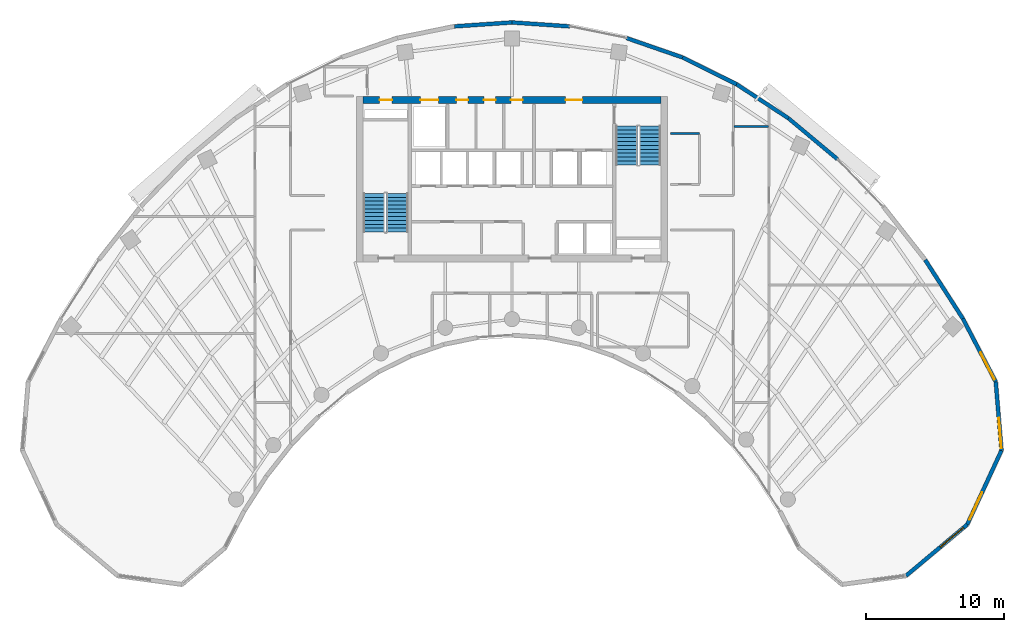
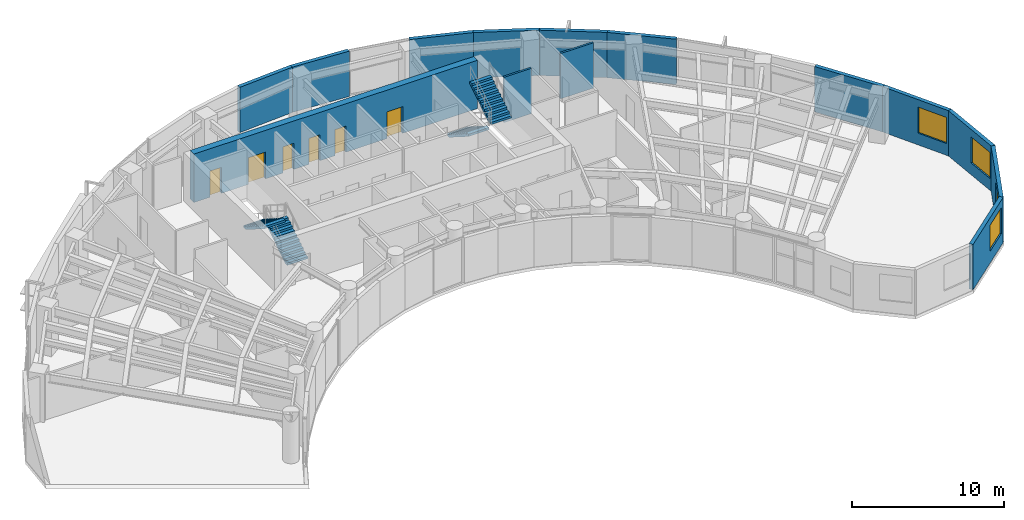
# One storey, part 10 of 13: 14 walls, 6 doors, 4 stair flights, 4 windows, 10 openings, 2 elements without a shape of their own.
"""IFC4 building model written with IfcOpenShell, lengths in metres."""

from ifc_helpers import new_model, si_unit, direction, frame, frame_2d, origin, place, context, subcontext, project, spatial, polyline, rectangle, outline, extrude, source, transform, mapped, material, layer, layer_set, type_object, type_shapes, element, fill, aggregate, save


model = new_model("IFC4")

# Units and contexts
model_context = context("Model", 3, precision=1e-05, world=origin(), true_north=direction((0.0, 1.0)))
body_context = subcontext(model_context, "Body", "Model", "MODEL_VIEW")
ifc_project = project(units=[si_unit("LENGTHUNIT", "METRE"), si_unit("AREAUNIT", "SQUARE_METRE"), si_unit("VOLUMEUNIT", "CUBIC_METRE"), si_unit("PLANEANGLEUNIT", "RADIAN"), si_unit("MASSUNIT", "GRAM", prefix="KILO")], contexts=[model_context])

# Site, building, storey
site_placement = place(None, origin())
site = spatial("IfcSite", under=ifc_project, at=site_placement, CompositionType="ELEMENT")
building_placement = place(site_placement, origin())
building = spatial("IfcBuilding", under=site, at=building_placement, Name="Breltana Convention Tower", CompositionType="ELEMENT")
storey_placement = place(building_placement, frame((0.0, 0.0, 142.800048828125)))
storey = spatial("IfcBuildingStorey", under=building, at=storey_placement, Name="L34", CompositionType="ELEMENT", Elevation=142.800048828125)

# Wall, openings, doors
ifc_material_1 = material(Name="Concrete C60/75", Category="concrete")
ifc_layer_1 = layer(ifc_material_1, 0.5, Name="Concrete C60/75")
ifc_layer_set_1 = layer_set([ifc_layer_1], Name="Concrete C60/75")
wall_type_1 = type_object("IfcWallType", Name="SW-CORE-500", PredefinedType="SHEAR", material=ifc_layer_set_1)
shared_shape_1 = source(origin(), body_context, "Body", "SweptSolid", [
    extrude(rectangle(XDim=21.60009765625, YDim=0.5, at=frame_2d((10.800048828125, 0.0))), origin(), (0.0, 0.0, 1.0), 3.89990234375),
])
wall_1_placement = place(storey_placement, frame((37.199951171875, 71.949951171875, 0.0), z_axis=(0.0, 0.0, 1.0), x_axis=(1.0, 0.0, 0.0)))
wall_1 = element("IfcWall", 1, at=wall_1_placement, inside=storey, type_object=wall_type_1, Name="L34 North Core Shear Wall", PredefinedType="SHEAR", context=body_context, shape_type="MappedRepresentation", body=[
    mapped(shared_shape_1, transform((0.0, 0.0, 0.0), scale=1.0)),
])
opening_1_placement = place(wall_1_placement, frame((1.199951171875, 0.0, 0.0)))
opening_1 = element("IfcOpeningElement", 2, at=opening_1_placement, cuts=wall_1, Name="Opening D-18", PredefinedType="OPENING", context=body_context, shape_type="SweptSolid", body=[
    extrude(rectangle(XDim=0.89990234375, YDim=2.10009765625, at=frame_2d((0.449951171875, 1.050048828125))), frame((0.0, 0.260009765625, 0.0), z_axis=(0.0, -1.0, 0.0), x_axis=(1.0, 0.0, 0.0)), (0.0, 0.0, 1.0), 0.52001953125),
])
opening_2_placement = place(wall_1_placement, frame((14.699951171875, 0.0, 0.0)))
opening_2 = element("IfcOpeningElement", 3, at=opening_2_placement, cuts=wall_1, Name="Opening D-09", PredefinedType="OPENING", context=body_context, shape_type="SweptSolid", body=[
    extrude(rectangle(XDim=1.199951171875, YDim=2.14990234375, at=frame_2d((0.60009765625, 1.074951171875))), frame((0.0, 0.260009765625, 0.0), z_axis=(0.0, -1.0, 0.0), x_axis=(1.0, 0.0, 0.0)), (0.0, 0.0, 1.0), 0.52001953125),
])
opening_3_placement = place(wall_1_placement, frame((4.14990234375, 0.0, 0.0)))
opening_3 = element("IfcOpeningElement", 4, at=opening_3_placement, cuts=wall_1, Name="Opening LD-01", PredefinedType="OPENING", context=body_context, shape_type="SweptSolid", body=[
    extrude(rectangle(XDim=1.300048828125, YDim=2.14990234375, at=frame_2d((0.64990234375, 1.074951171875))), frame((0.0, 0.260009765625, 0.0), z_axis=(0.0, -1.0, 0.0), x_axis=(1.0, 0.0, 0.0)), (0.0, 0.0, 1.0), 0.52001953125),
])
opening_4_placement = place(wall_1_placement, frame((6.760009765625, 0.0, 0.0)))
opening_4 = element("IfcOpeningElement", 5, at=opening_4_placement, cuts=wall_1, Name="Opening D-20", PredefinedType="OPENING", context=body_context, shape_type="SweptSolid", body=[
    extrude(rectangle(XDim=0.85009765625, YDim=2.10009765625, at=frame_2d((0.425048828125, 1.050048828125))), frame((0.0, 0.260009765625, 0.0), z_axis=(0.0, -1.0, 0.0), x_axis=(1.0, 0.0, 0.0)), (0.0, 0.0, 1.0), 0.52001953125),
])
opening_5_placement = place(wall_1_placement, frame((8.760009765625, 0.0, 0.0)))
opening_5 = element("IfcOpeningElement", 6, at=opening_5_placement, cuts=wall_1, Name="Opening D-20", PredefinedType="OPENING", context=body_context, shape_type="SweptSolid", body=[
    extrude(rectangle(XDim=0.85009765625, YDim=2.10009765625, at=frame_2d((0.425048828125, 1.050048828125))), frame((0.0, 0.260009765625, 0.0), z_axis=(0.0, -1.0, 0.0), x_axis=(1.0, 0.0, 0.0)), (0.0, 0.0, 1.0), 0.52001953125),
])
opening_6_placement = place(wall_1_placement, frame((10.72509765625, 0.0, 0.0)))
opening_6 = element("IfcOpeningElement", 7, at=opening_6_placement, cuts=wall_1, Name="Opening D-20", PredefinedType="OPENING", context=body_context, shape_type="SweptSolid", body=[
    extrude(rectangle(XDim=0.85009765625, YDim=2.10009765625, at=frame_2d((0.425048828125, 1.050048828125))), frame((0.0, 0.260009765625, 0.0), z_axis=(0.0, -1.0, 0.0), x_axis=(1.0, 0.0, 0.0)), (0.0, 0.0, 1.0), 0.52001953125),
])
ifc_material_2 = material(Name="Steel Riser Fire Door", Category="steel")
door_type_1 = type_object("IfcDoorType", Name="DR-FD60-900", OperationType="NOTDEFINED", PredefinedType="DOOR", material=ifc_material_2)
shared_shape_2 = source(origin(), body_context, "Body", "SweptSolid", [
    extrude(rectangle(XDim=0.89990234375, YDim=2.10009765625, at=frame_2d((0.449951171875, 1.050048828125))), frame((0.0, 0.02490234375, 0.0), z_axis=(0.0, -1.0, 0.0), x_axis=(1.0, 0.0, 0.0)), (0.0, 0.0, 1.0), 0.050048828125),
])
type_shapes(door_type_1, [shared_shape_2])
door_1_placement = place(opening_1_placement, origin())
door_1 = element("IfcDoor", 8, at=door_1_placement, inside=storey, type_object=door_type_1, Name="L34 Core Riser Access Door D-L34-RS1", OperationType="SINGLE_SWING_LEFT", OverallHeight=2.10009765625, OverallWidth=0.89990234375, PredefinedType="DOOR", context=body_context, shape_type="MappedRepresentation", body=[
    mapped(shared_shape_2, transform((0.0, 0.0, 0.0), scale=1.0)),
])
fill(opening_1, door_1)
ifc_material_3 = material(Name="Steel Fire Lobby Door", Category="steel")
door_type_2 = type_object("IfcDoorType", Name="DR-FD120-1200", OperationType="NOTDEFINED", PredefinedType="DOOR", material=ifc_material_3)
shared_shape_3 = source(origin(), body_context, "Body", "SweptSolid", [
    extrude(rectangle(XDim=1.199951171875, YDim=2.14990234375, at=frame_2d((0.60009765625, 1.074951171875))), frame((0.0, 0.02490234375, 0.0), z_axis=(0.0, -1.0, 0.0), x_axis=(1.0, 0.0, 0.0)), (0.0, 0.0, 1.0), 0.050048828125),
])
type_shapes(door_type_2, [shared_shape_3])
door_2_placement = place(opening_2_placement, origin())
door_2 = element("IfcDoor", 9, at=door_2_placement, inside=storey, type_object=door_type_2, Name="L34 interior door D-L34-FFL-N", OperationType="SINGLE_SWING_RIGHT", OverallHeight=2.14990234375, OverallWidth=1.199951171875, PredefinedType="DOOR", context=body_context, shape_type="MappedRepresentation", body=[
    mapped(shared_shape_3, transform((0.0, 0.0, 0.0), scale=1.0)),
])
fill(opening_2, door_2)
ifc_material_4 = material(Name="Stainless Steel Brushed", Category="steel")
door_type_3 = type_object("IfcDoorType", Name="DR-LD-SRV-1300", OperationType="DOUBLE_DOOR_SLIDING", PredefinedType="DOOR", material=ifc_material_4)
shared_shape_4 = source(origin(), body_context, "Body", "SweptSolid", [
    extrude(rectangle(XDim=1.300048828125, YDim=2.14990234375, at=frame_2d((0.64990234375, 1.074951171875))), frame((0.0, 0.02490234375, 0.0), z_axis=(0.0, -1.0, 0.0), x_axis=(1.0, 0.0, 0.0)), (0.0, 0.0, 1.0), 0.050048828125),
])
type_shapes(door_type_3, [shared_shape_4])
door_3_placement = place(opening_3_placement, origin())
door_3 = element("IfcDoor", 10, at=door_3_placement, inside=storey, type_object=door_type_3, Name="L34 Lift Landing Door D-L34-LD-SV1", OperationType="DOUBLE_DOOR_SLIDING", OverallHeight=2.14990234375, OverallWidth=1.300048828125, PredefinedType="DOOR", context=body_context, shape_type="MappedRepresentation", body=[
    mapped(shared_shape_4, transform((0.0, 0.0, 0.0), scale=1.0)),
])
fill(opening_3, door_3)
ifc_material_5 = material(Name="Steel Closet Fire Door", Category="steel")
door_type_4 = type_object("IfcDoorType", Name="DR-FD60-850", OperationType="NOTDEFINED", PredefinedType="DOOR", material=ifc_material_5)
shared_shape_5 = source(origin(), body_context, "Body", "SweptSolid", [
    extrude(rectangle(XDim=0.85009765625, YDim=2.10009765625, at=frame_2d((0.425048828125, 1.050048828125))), frame((0.0, 0.02490234375, 0.0), z_axis=(0.0, -1.0, 0.0), x_axis=(1.0, 0.0, 0.0)), (0.0, 0.0, 1.0), 0.050048828125),
])
type_shapes(door_type_4, [shared_shape_5])
door_4_placement = place(opening_4_placement, origin())
door_4 = element("IfcDoor", 11, at=door_4_placement, inside=storey, type_object=door_type_4, Name="L34 interior door D-L34-CRA1", OperationType="SINGLE_SWING_RIGHT", OverallHeight=2.10009765625, OverallWidth=0.85009765625, PredefinedType="DOOR", context=body_context, shape_type="MappedRepresentation", body=[
    mapped(shared_shape_5, transform((0.0, 0.0, 0.0), scale=1.0)),
])
fill(opening_4, door_4)
door_5_placement = place(opening_5_placement, origin())
door_5 = element("IfcDoor", 12, at=door_5_placement, inside=storey, type_object=door_type_4, Name="L34 interior door D-L34-CRA2", OperationType="SINGLE_SWING_LEFT", OverallHeight=2.10009765625, OverallWidth=0.85009765625, PredefinedType="DOOR", context=body_context, shape_type="MappedRepresentation", body=[
    mapped(shared_shape_5, transform((0.0, 0.0, 0.0), scale=1.0)),
])
fill(opening_5, door_5)
door_6_placement = place(opening_6_placement, origin())
door_6 = element("IfcDoor", 13, at=door_6_placement, inside=storey, type_object=door_type_4, Name="L34 interior door D-L34-CRA3", OperationType="SINGLE_SWING_RIGHT", OverallHeight=2.10009765625, OverallWidth=0.85009765625, PredefinedType="DOOR", context=body_context, shape_type="MappedRepresentation", body=[
    mapped(shared_shape_5, transform((0.0, 0.0, 0.0), scale=1.0)),
])
fill(opening_6, door_6)

# Wall, opening, window
ifc_material_6 = material(Name="Limestone Buff Insulated Wall", Category="masonry")
ifc_layer_2 = layer(ifc_material_6, 0.280029296875, Name="Limestone Buff Insulated Wall")
ifc_layer_set_2 = layer_set([ifc_layer_2], Name="Limestone Buff Insulated Wall")
wall_type_2 = type_object("IfcWallType", Name="WL-EXT-NOSE-280", PredefinedType="SOLIDWALL", material=ifc_layer_set_2)
shared_shape_6 = source(origin(), body_context, "Body", "SweptSolid", [
    extrude(rectangle(XDim=4.994384765625, YDim=0.280029296875, at=frame_2d((2.4970703125, 0.0))), origin(), (0.0, 0.0, 1.0), 3.64990234375),
])
wall_2_placement = place(storey_placement, frame((83.102294921875, 51.48876953125, 0.0), z_axis=(0.0, 0.0, 1.0), x_axis=(0.083344839916, -0.996520766296, 0.0)))
wall_2 = element("IfcWall", 14, at=wall_2_placement, inside=storey, type_object=wall_type_2, Name="L34 curved limestone nose wall E1", PredefinedType="SOLIDWALL", context=body_context, shape_type="MappedRepresentation", body=[
    mapped(shared_shape_6, transform((0.0, 0.0, 0.0), scale=1.0)),
])
opening_7_placement = place(wall_2_placement, frame((2.634521484375, 0.0, 0.949951171875)))
opening_7 = element("IfcOpeningElement", 15, at=opening_7_placement, cuts=wall_2, Name="Opening W-03", PredefinedType="OPENING", context=body_context, shape_type="SweptSolid", body=[
    extrude(rectangle(XDim=2.199951171875, YDim=2.10009765625, at=frame_2d((1.10009765625, 1.050048828125))), frame((0.0, 0.14990234375, 0.0), z_axis=(0.0, -1.0, 0.0), x_axis=(1.0, 0.0, 0.0)), (0.0, 0.0, 1.0), 0.300048828125),
])
ifc_material_7 = material(Name="Glass Low-E Insulated Window", Category="glass")
window_type = type_object("IfcWindowType", Name="WN-NOSE-2200X2100", PartitioningType="TRIPLE_PANEL_VERTICAL", PredefinedType="WINDOW", material=ifc_material_7)
shared_shape_7 = source(origin(), body_context, "Body", "SweptSolid", [
    extrude(rectangle(XDim=2.199951171875, YDim=2.10009765625, at=frame_2d((1.10009765625, 1.050048828125))), frame((0.0, 0.030029296875, 0.0), z_axis=(0.0, -1.0, 0.0), x_axis=(1.0, 0.0, 0.0)), (0.0, 0.0, 1.0), 0.06005859375),
])
type_shapes(window_type, [shared_shape_7])
window_1_placement = place(opening_7_placement, origin())
window_1 = element("IfcWindow", 16, at=window_1_placement, inside=storey, type_object=window_type, Name="L34 nose window E1", OverallHeight=2.10009765625, OverallWidth=2.199951171875, PartitioningType="TRIPLE_PANEL_VERTICAL", PredefinedType="WINDOW", context=body_context, shape_type="MappedRepresentation", body=[
    mapped(shared_shape_7, transform((0.0, 0.0, 0.0), scale=1.0)),
])
fill(opening_7, window_1)

shared_shape_8 = source(origin(), body_context, "Body", "SweptSolid", [
    extrude(rectangle(XDim=5.927490234375, YDim=0.280029296875, at=frame_2d((2.9638671875, 0.0))), origin(), (0.0, 0.0, 1.0), 3.64990234375),
])
wall_3_placement = place(storey_placement, frame((83.5185546875, 46.51171875, 0.0), z_axis=(0.0, 0.0, 1.0), x_axis=(-0.419656204795, -0.907683132914, 0.0)))
wall_3 = element("IfcWall", 17, at=wall_3_placement, inside=storey, type_object=wall_type_2, Name="L34 curved limestone nose wall E2", PredefinedType="SOLIDWALL", context=body_context, shape_type="MappedRepresentation", body=[
    mapped(shared_shape_8, transform((0.0, 0.0, 0.0), scale=1.0)),
])
opening_8_placement = place(wall_3_placement, frame((3.345703125, 0.0, 0.949951171875)))
opening_8 = element("IfcOpeningElement", 18, at=opening_8_placement, cuts=wall_3, Name="Opening W-03", PredefinedType="OPENING", context=body_context, shape_type="SweptSolid", body=[
    extrude(rectangle(XDim=2.199951171875, YDim=2.10009765625, at=frame_2d((1.10009765625, 1.050048828125))), frame((0.0, 0.14990234375, 0.0), z_axis=(0.0, -1.0, 0.0), x_axis=(1.0, 0.0, 0.0)), (0.0, 0.0, 1.0), 0.300048828125),
])
window_2_placement = place(opening_8_placement, origin())
window_2 = element("IfcWindow", 19, at=window_2_placement, inside=storey, type_object=window_type, Name="L34 nose window E2", OverallHeight=2.10009765625, OverallWidth=2.199951171875, PartitioningType="TRIPLE_PANEL_VERTICAL", PredefinedType="WINDOW", context=body_context, shape_type="MappedRepresentation", body=[
    mapped(shared_shape_7, transform((0.0, 0.0, 0.0), scale=1.0)),
])
fill(opening_8, window_2)

shared_shape_9 = source(origin(), body_context, "Body", "SweptSolid", [
    extrude(rectangle(XDim=5.786376953125, YDim=0.280029296875, at=frame_2d((2.89306640625, 0.0))), origin(), (0.0, 0.0, 1.0), 3.64990234375),
])
wall_4_placement = place(storey_placement, frame((81.031005859375, 41.13134765625, 0.0), z_axis=(0.0, 0.0, 1.0), x_axis=(-0.766711306852, -0.641992034176, 0.0)))
wall_4 = element("IfcWall", 20, at=wall_4_placement, inside=storey, type_object=wall_type_2, Name="L34 curved limestone nose wall E3", PredefinedType="SOLIDWALL", context=body_context, shape_type="MappedRepresentation", body=[
    mapped(shared_shape_9, transform((0.0, 0.0, 0.0), scale=1.0)),
])
opening_9_placement = place(wall_4_placement, frame((0.3466796875, 0.0, 0.949951171875)))
opening_9 = element("IfcOpeningElement", 21, at=opening_9_placement, cuts=wall_4, Name="Opening W-03", PredefinedType="OPENING", context=body_context, shape_type="SweptSolid", body=[
    extrude(rectangle(XDim=2.199951171875, YDim=2.10009765625, at=frame_2d((1.10009765625, 1.050048828125))), frame((0.0, 0.14990234375, 0.0), z_axis=(0.0, -1.0, 0.0), x_axis=(1.0, 0.0, 0.0)), (0.0, 0.0, 1.0), 0.300048828125),
])
window_3_placement = place(opening_9_placement, origin())
window_3 = element("IfcWindow", 22, at=window_3_placement, inside=storey, type_object=window_type, Name="L34 nose window E3", OverallHeight=2.10009765625, OverallWidth=2.199951171875, PartitioningType="TRIPLE_PANEL_VERTICAL", PredefinedType="WINDOW", context=body_context, shape_type="MappedRepresentation", body=[
    mapped(shared_shape_7, transform((0.0, 0.0, 0.0), scale=1.0)),
])
fill(opening_9, window_3)

shared_shape_10 = source(origin(), body_context, "Body", "SweptSolid", [
    extrude(rectangle(XDim=5.1708984375, YDim=0.280029296875, at=frame_2d((2.58544921875, 0.0))), origin(), (0.0, 0.0, 1.0), 3.64990234375),
])
wall_5_placement = place(storey_placement, frame((80.714599609375, 56.075439453125, 0.0), z_axis=(0.0, 0.0, 1.0), x_axis=(0.461752581363, -0.887008767491, 0.0)))
wall_5 = element("IfcWall", 23, at=wall_5_placement, inside=storey, type_object=wall_type_2, Name="L34 curved limestone nose wall E34", PredefinedType="SOLIDWALL", context=body_context, shape_type="MappedRepresentation", body=[
    mapped(shared_shape_10, transform((0.0, 0.0, 0.0), scale=1.0)),
])
opening_10_placement = place(wall_5_placement, frame((2.7783203125, 0.0, 0.949951171875)))
opening_10 = element("IfcOpeningElement", 24, at=opening_10_placement, cuts=wall_5, Name="Opening W-03", PredefinedType="OPENING", context=body_context, shape_type="SweptSolid", body=[
    extrude(rectangle(XDim=2.199951171875, YDim=2.10009765625, at=frame_2d((1.10009765625, 1.050048828125))), frame((0.0, 0.14990234375, 0.0), z_axis=(0.0, -1.0, 0.0), x_axis=(1.0, 0.0, 0.0)), (0.0, 0.0, 1.0), 0.300048828125),
])
window_4_placement = place(opening_10_placement, origin())
window_4 = element("IfcWindow", 25, at=window_4_placement, inside=storey, type_object=window_type, Name="L34 nose window E34", OverallHeight=2.10009765625, OverallWidth=2.199951171875, PartitioningType="TRIPLE_PANEL_VERTICAL", PredefinedType="WINDOW", context=body_context, shape_type="MappedRepresentation", body=[
    mapped(shared_shape_7, transform((0.0, 0.0, 0.0), scale=1.0)),
])
fill(opening_10, window_4)

# Walls
shared_shape_11 = source(origin(), body_context, "Body", "SweptSolid", [
    extrude(rectangle(XDim=4.633544921875, YDim=0.280029296875, at=frame_2d((2.31689453125, 0.0))), origin(), (0.0, 0.0, 1.0), 3.64990234375),
])
wall_6_placement = place(storey_placement, frame((68.060791015625, 70.610107421875, 0.0), z_axis=(0.0, 0.0, 1.0), x_axis=(0.767910229096, -0.640557475993, 0.0)))
element("IfcWall", 26, at=wall_6_placement, inside=storey, type_object=wall_type_2, Name="L34 curved limestone nose wall E31", PredefinedType="SOLIDWALL", context=body_context, shape_type="MappedRepresentation", body=[
    mapped(shared_shape_11, transform((0.0, 0.0, 0.0), scale=1.0)),
])
shared_shape_12 = source(origin(), body_context, "Body", "SweptSolid", [
    extrude(rectangle(XDim=4.500732421875, YDim=0.280029296875, at=frame_2d((2.25048828125, 0.0))), origin(), (0.0, 0.0, 1.0), 3.64990234375),
])
wall_7_placement = place(storey_placement, frame((64.29833984375, 73.079833984375, 0.0), z_axis=(0.0, 0.0, 1.0), x_axis=(0.835984920737, -0.548752414391, 0.0)))
element("IfcWall", 27, at=wall_7_placement, inside=storey, type_object=wall_type_2, Name="L34 curved limestone nose wall E30", PredefinedType="SOLIDWALL", context=body_context, shape_type="MappedRepresentation", body=[
    mapped(shared_shape_12, transform((0.0, 0.0, 0.0), scale=1.0)),
])
shared_shape_13 = source(origin(), body_context, "Body", "SweptSolid", [
    extrude(rectangle(XDim=4.289794921875, YDim=0.280029296875, at=frame_2d((2.14501953125, 0.0))), origin(), (0.0, 0.0, 1.0), 3.64990234375),
])
wall_8_placement = place(storey_placement, frame((56.31689453125, 76.431396484375, 0.0), z_axis=(0.0, 0.0, 1.0), x_axis=(0.944883859218, -0.3274057003, 0.0)))
element("IfcWall", 28, at=wall_8_placement, inside=storey, type_object=wall_type_2, Name="L34 curved limestone nose wall E28", PredefinedType="SOLIDWALL", context=body_context, shape_type="MappedRepresentation", body=[
    mapped(shared_shape_13, transform((0.0, 0.0, 0.0), scale=1.0)),
])
shared_shape_14 = source(origin(), body_context, "Body", "SweptSolid", [
    extrude(rectangle(XDim=4.189208984375, YDim=0.280029296875, at=frame_2d((2.0947265625, 0.0))), origin(), (0.0, 0.0, 1.0), 3.64990234375),
])
for number, where, z_axis, x_axis, name in (
    (29, (43.8203125, 77.27978515625, 0.0), (0.0, 0.0, 1.0), (0.997700560699, 0.067776036921, 0.0), "L34 curved limestone nose wall E26"),
    (30, (48.0, 77.563720703125, 0.0), (0.0, 0.0, 1.0), (0.997700560699, -0.067776036921, 0.0), "L34 curved limestone nose wall E27"),
):
    element("IfcWall", number, at=place(storey_placement, frame(where, z_axis=z_axis, x_axis=x_axis)), inside=storey, type_object=wall_type_2, Name=name, PredefinedType="SOLIDWALL", context=body_context, shape_type="MappedRepresentation", body=[
        mapped(shared_shape_14, transform((0.0, 0.0, 0.0), scale=1.0)),
    ])
shared_shape_15 = source(origin(), body_context, "Body", "SweptSolid", [
    extrude(rectangle(XDim=4.384033203125, YDim=0.280029296875, at=frame_2d((2.19189453125, 0.0))), origin(), (0.0, 0.0, 1.0), 3.64990234375),
])
wall_9_placement = place(storey_placement, frame((60.370361328125, 75.02685546875, 0.0), z_axis=(0.0, 0.0, 1.0), x_axis=(0.895969968053, -0.444114643248, 0.0)))
element("IfcWall", 31, at=wall_9_placement, inside=storey, type_object=wall_type_2, Name="L34 curved limestone nose wall E29", PredefinedType="SOLIDWALL", context=body_context, shape_type="MappedRepresentation", body=[
    mapped(shared_shape_15, transform((0.0, 0.0, 0.0), scale=1.0)),
])
shared_shape_16 = source(origin(), body_context, "Body", "SweptSolid", [
    extrude(rectangle(XDim=5.064697265625, YDim=0.280029296875, at=frame_2d((2.5322265625, 0.0))), origin(), (0.0, 0.0, 1.0), 3.64990234375),
])
wall_10_placement = place(storey_placement, frame((77.978759765625, 60.337646484375, 0.0), z_axis=(0.0, 0.0, 1.0), x_axis=(0.540177618806, -0.841551032404, 0.0)))
element("IfcWall", 32, at=wall_10_placement, inside=storey, type_object=wall_type_2, Name="L34 curved limestone nose wall E33", PredefinedType="SOLIDWALL", context=body_context, shape_type="MappedRepresentation", body=[
    mapped(shared_shape_16, transform((0.0, 0.0, 0.0), scale=1.0)),
])
ifc_material_8 = material(Name="Gypsum Acoustic Drywall Partition")
ifc_layer_3 = layer(ifc_material_8, 0.14990234375, Name="Gypsum Acoustic Drywall Partition")
ifc_layer_set_3 = layer_set([ifc_layer_3], Name="Gypsum Acoustic Drywall Partition")
wall_type_3 = type_object("IfcWallType", Name="WL-PART-150", PredefinedType="PARTITIONING", material=ifc_layer_set_3)
shared_shape_17 = source(origin(), body_context, "Body", "SweptSolid", [
    extrude(rectangle(XDim=2.5, YDim=0.14990234375, at=frame_2d((1.25, 0.0))), origin(), (0.0, 0.0, 1.0), 3.64990234375),
])
wall_11_placement = place(storey_placement, frame((64.10009765625, 70.0, 0.0), z_axis=(0.0, 0.0, 1.0), x_axis=(1.0, 0.0, 0.0)))
element("IfcWall", 33, at=wall_11_placement, inside=storey, type_object=wall_type_3, Name="L34 interior partition W-L34-CORNE-N", PredefinedType="PARTITIONING", context=body_context, shape_type="MappedRepresentation", body=[
    mapped(shared_shape_17, transform((0.0, 0.0, 0.0), scale=1.0)),
])
shared_shape_18 = source(origin(), body_context, "Body", "SweptSolid", [
    extrude(rectangle(XDim=2.10009765625, YDim=0.14990234375, at=frame_2d((1.050048828125, 0.0))), origin(), (0.0, 0.0, 1.0), 3.64990234375),
])
wall_12_placement = place(storey_placement, frame((59.5, 69.5, 0.0), z_axis=(0.0, 0.0, 1.0), x_axis=(1.0, 0.0, 0.0)))
element("IfcWall", 34, at=wall_12_placement, inside=storey, type_object=wall_type_3, Name="L34 interior partition W-L34-CRSE-N", PredefinedType="PARTITIONING", context=body_context, shape_type="MappedRepresentation", body=[
    mapped(shared_shape_18, transform((0.0, 0.0, 0.0), scale=1.0)),
])

# Stair, stair flights
ifc_material_9 = material(Name="Concrete C40/50", Category="concrete")
stair_type = type_object("IfcStairType", Name="ST-DOG-1560-R177", PredefinedType="HALF_TURN_STAIR", material=ifc_material_9)
stair_1_placement = place(storey_placement, origin())
stair_1 = element("IfcStair", 35, at=stair_1_placement, inside=storey, type_object=stair_type, Name="L34 Protected Core Exit Stair ST-1", PredefinedType="HALF_TURN_STAIR")
stair_flight_type = type_object("IfcStairFlightType", Name="STF-DOG-1560-N11-R177", PredefinedType="STRAIGHT", material=ifc_material_9)
stair_flight_1_placement = place(storey_placement, frame((39.68994140625, 62.360107421875, 0.0), z_axis=(0.0, 0.0, 1.0), x_axis=(0.0, 1.0, 0.0)))
stair_flight_1 = element("IfcStairFlight", 36, at=stair_flight_1_placement, type_object=stair_flight_type, Name="ST-1 flight 1", NumberOfRisers=11, NumberOfTreads=10, PredefinedType="STRAIGHT", RiserHeight=0.177272727, TreadLength=0.28, context=body_context, shape_type="SweptSolid", body=[
    extrude(outline(polyline([(0.0, 0.0), (0.0, 0.17724609375), (0.280029296875, 0.17724609375), (0.280029296875, 0.3544921875), (0.56005859375, 0.3544921875), (0.56005859375, 0.53173828125), (0.840087890625, 0.53173828125), (0.840087890625, 0.708984375), (1.1201171875, 0.708984375), (1.1201171875, 0.886474609375), (1.39990234375, 0.886474609375), (1.39990234375, 1.063720703125), (1.679931640625, 1.063720703125), (1.679931640625, 1.240966796875), (1.9599609375, 1.240966796875), (1.9599609375, 1.418212890625), (2.239990234375, 1.418212890625), (2.239990234375, 1.595458984375), (2.52001953125, 1.595458984375), (2.52001953125, 1.772705078125), (2.800048828125, 1.772705078125), (2.800048828125, 1.949951171875), (2.800048828125, 1.59521484375), (0.2802734375, 0.0), (0.0, 0.0)])), frame((0.0, 0.780029296875, 0.0), z_axis=(0.0, -1.0, 0.0), x_axis=(1.0, 0.0, 0.0)), (0.0, 0.0, 1.0), 1.56005859375),
])
stair_flight_2_placement = place(storey_placement, frame((37.97998046875, 65.159912109375, 1.949951171875), z_axis=(0.0, 0.0, 1.0), x_axis=(0.0, -1.0, 0.0)))
stair_flight_2 = element("IfcStairFlight", 37, at=stair_flight_2_placement, type_object=stair_flight_type, Name="ST-1 flight 2", NumberOfRisers=11, NumberOfTreads=10, PredefinedType="STRAIGHT", RiserHeight=0.177272727, TreadLength=0.28, context=body_context, shape_type="SweptSolid", body=[
    extrude(outline(polyline([(0.0, 0.0), (0.0, 0.17724609375), (0.280029296875, 0.17724609375), (0.280029296875, 0.3544921875), (0.56005859375, 0.3544921875), (0.56005859375, 0.53173828125), (0.840087890625, 0.53173828125), (0.840087890625, 0.708984375), (1.1201171875, 0.708984375), (1.1201171875, 0.886474609375), (1.39990234375, 0.886474609375), (1.39990234375, 1.063720703125), (1.679931640625, 1.063720703125), (1.679931640625, 1.240966796875), (1.9599609375, 1.240966796875), (1.9599609375, 1.418212890625), (2.239990234375, 1.418212890625), (2.239990234375, 1.595458984375), (2.52001953125, 1.595458984375), (2.52001953125, 1.772705078125), (2.800048828125, 1.772705078125), (2.800048828125, 1.949951171875), (2.800048828125, 1.59521484375), (0.2802734375, 0.0), (0.0, 0.0)])), frame((0.0, 0.780029296875, 0.0), z_axis=(0.0, -1.0, 0.0), x_axis=(1.0, 0.0, 0.0)), (0.0, 0.0, 1.0), 1.56005859375),
])
aggregate(stair_1, [stair_flight_1, stair_flight_2])

stair_2_placement = place(storey_placement, origin())
stair_2 = element("IfcStair", 38, at=stair_2_placement, inside=storey, type_object=stair_type, Name="L34 Protected Core Exit Stair ST-2", PredefinedType="HALF_TURN_STAIR")
stair_flight_3_placement = place(storey_placement, frame((56.31005859375, 70.0400390625, 0.0), z_axis=(0.0, 0.0, 1.0), x_axis=(0.0, -1.0, 0.0)))
stair_flight_3 = element("IfcStairFlight", 39, at=stair_flight_3_placement, type_object=stair_flight_type, Name="ST-2 flight 1", NumberOfRisers=11, NumberOfTreads=10, PredefinedType="STRAIGHT", RiserHeight=0.177272727, TreadLength=0.28, context=body_context, shape_type="SweptSolid", body=[
    extrude(outline(polyline([(0.0, 0.0), (0.0, 0.17724609375), (0.280029296875, 0.17724609375), (0.280029296875, 0.3544921875), (0.56005859375, 0.3544921875), (0.56005859375, 0.53173828125), (0.840087890625, 0.53173828125), (0.840087890625, 0.708984375), (1.1201171875, 0.708984375), (1.1201171875, 0.886474609375), (1.39990234375, 0.886474609375), (1.39990234375, 1.063720703125), (1.679931640625, 1.063720703125), (1.679931640625, 1.240966796875), (1.9599609375, 1.240966796875), (1.9599609375, 1.418212890625), (2.239990234375, 1.418212890625), (2.239990234375, 1.595458984375), (2.52001953125, 1.595458984375), (2.52001953125, 1.772705078125), (2.800048828125, 1.772705078125), (2.800048828125, 1.949951171875), (2.800048828125, 1.59521484375), (0.2802734375, 0.0), (0.0, 0.0)])), frame((0.0, 0.780029296875, 0.0), z_axis=(0.0, -1.0, 0.0), x_axis=(1.0, 0.0, 0.0)), (0.0, 0.0, 1.0), 1.56005859375),
])
stair_flight_4_placement = place(storey_placement, frame((58.02001953125, 67.239990234375, 1.949951171875), z_axis=(0.0, 0.0, 1.0), x_axis=(0.0, 1.0, 0.0)))
stair_flight_4 = element("IfcStairFlight", 40, at=stair_flight_4_placement, type_object=stair_flight_type, Name="ST-2 flight 2", NumberOfRisers=11, NumberOfTreads=10, PredefinedType="STRAIGHT", RiserHeight=0.177272727, TreadLength=0.28, context=body_context, shape_type="SweptSolid", body=[
    extrude(outline(polyline([(0.0, 0.0), (0.0, 0.17724609375), (0.280029296875, 0.17724609375), (0.280029296875, 0.3544921875), (0.56005859375, 0.3544921875), (0.56005859375, 0.53173828125), (0.840087890625, 0.53173828125), (0.840087890625, 0.708984375), (1.1201171875, 0.708984375), (1.1201171875, 0.886474609375), (1.39990234375, 0.886474609375), (1.39990234375, 1.063720703125), (1.679931640625, 1.063720703125), (1.679931640625, 1.240966796875), (1.9599609375, 1.240966796875), (1.9599609375, 1.418212890625), (2.239990234375, 1.418212890625), (2.239990234375, 1.595458984375), (2.52001953125, 1.595458984375), (2.52001953125, 1.772705078125), (2.800048828125, 1.772705078125), (2.800048828125, 1.949951171875), (2.800048828125, 1.59521484375), (0.2802734375, 0.0), (0.0, 0.0)])), frame((0.0, 0.780029296875, 0.0), z_axis=(0.0, -1.0, 0.0), x_axis=(1.0, 0.0, 0.0)), (0.0, 0.0, 1.0), 1.56005859375),
])
aggregate(stair_2, [stair_flight_3, stair_flight_4])

save(model, "model.ifc")
